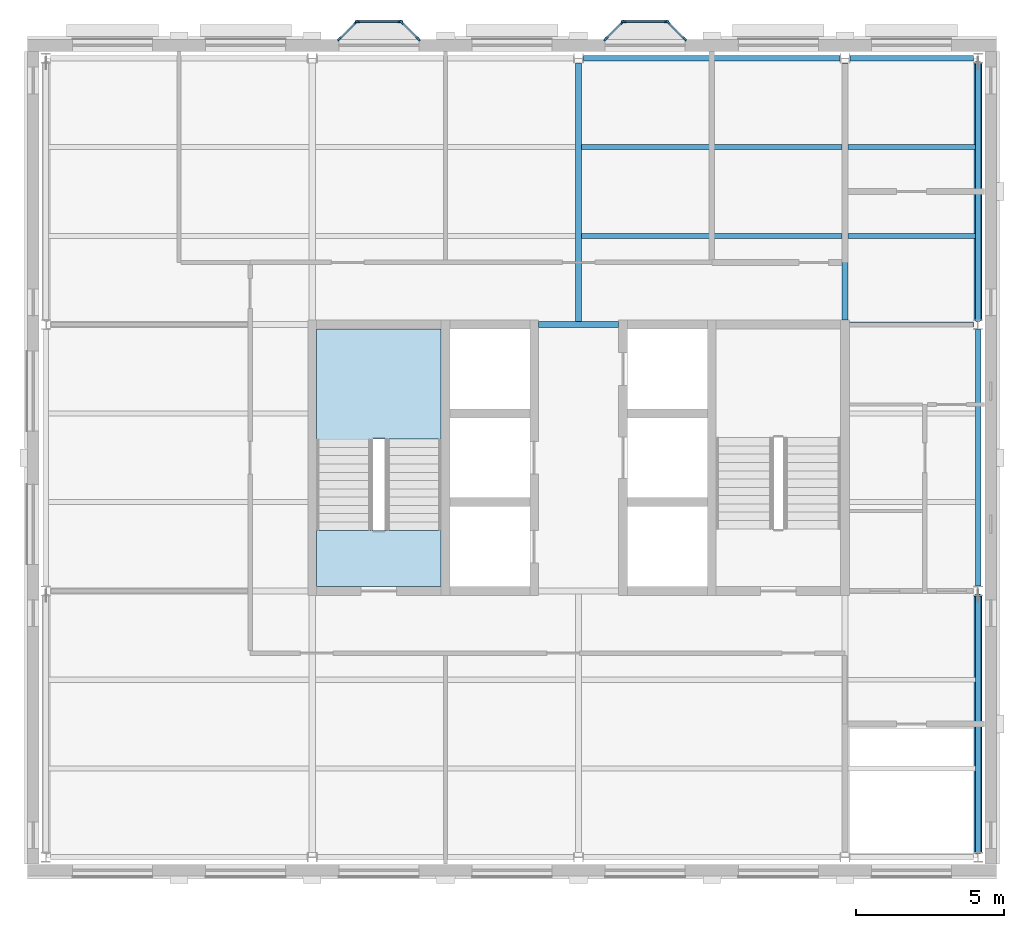
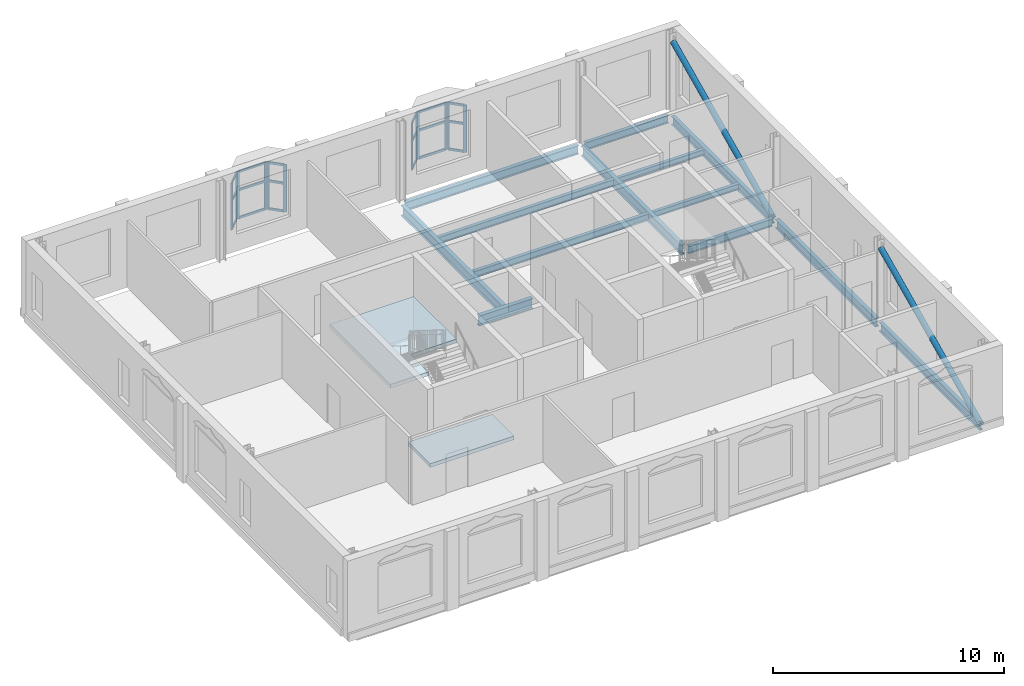
# One storey, part 2 of 9: 32 members, 13 beams, 2 slabs, 7 elements without a shape of their own.
"""IFC4 building model written with IfcOpenShell, lengths in metres."""

from ifc_helpers import new_model, si_unit, direction, frame, origin, origin_2d, place, context, subcontext, project, spatial, polyline, rectangle, hollow_circle, i_section, outline, extrude, material, layer, layer_set, material_profile, profile_set, type_object, element, aggregate, save


model = new_model("IFC4")

# Units and contexts
model_context = context("Model", 3, precision=1e-05, world=origin(), true_north=direction((0.0, 1.0)))
body_context = subcontext(model_context, "Body", "Model", "MODEL_VIEW")
ifc_project = project(units=[si_unit("LENGTHUNIT", "METRE"), si_unit("AREAUNIT", "SQUARE_METRE"), si_unit("VOLUMEUNIT", "CUBIC_METRE"), si_unit("PLANEANGLEUNIT", "RADIAN"), si_unit("MASSUNIT", "GRAM", prefix="KILO")], contexts=[model_context])

# Site, building, storey
site_placement = place(None, origin())
site = spatial("IfcSite", under=ifc_project, at=site_placement, CompositionType="ELEMENT")
building_placement = place(site_placement, origin())
building = spatial("IfcBuilding", under=site, at=building_placement, Name="Hortulan Conservatory and Botanical Research Centre", CompositionType="ELEMENT")
storey_placement = place(building_placement, frame((0.0, 0.0, 31.800048828125)))
storey = spatial("IfcBuildingStorey", under=building, at=storey_placement, Name="L07", CompositionType="ELEMENT", Elevation=31.800048828125)

# Members
ifc_material_1 = material(Name="Steel Grade C350L0 (350 MPa, AS/NZS 1163)", Category="steel")
ifc_material_profile_1 = material_profile(ifc_material_1, hollow_circle(Radius=0.136474609375, WallThickness=0.00927734375, at=origin_2d()), Name="273.1x9.3CHS")
ifc_profile_set_1 = profile_set([ifc_material_profile_1], Name="Steel Grade C350L0 (350 MPa, AS/NZS 1163)")
member_type_1 = type_object("IfcMemberType", Name="Brace 273.1x9.3CHS", PredefinedType="BRACE", material=ifc_profile_set_1)
for number, where, z_axis, x_axis, name in (
    (1, (31.5, 0.16357421875, -0.28369140625), (0.0, 0.906181836611, 0.422888258286), (-1.0, 0.0, 0.0), "273.1x9.3CHS brace"),
    (2, (31.5, 18.16357421875, -0.28369140625), (0.0, 0.906181836611, 0.422888258286), (-1.0, 0.0, 0.0), "273.1x9.3CHS brace"),
):
    element("IfcMember", number, at=place(storey_placement, frame(where, z_axis=z_axis, x_axis=x_axis)), inside=storey, type_object=member_type_1, Name=name, PredefinedType="BRACE", context=body_context, shape_type="SweptSolid", body=[
        extrude(hollow_circle(Radius=0.136474609375, WallThickness=0.00927734375, at=origin_2d()), origin(), (0.0, 0.0, 1.0), 9.57080078125),
    ])

# Curtain wall, members
ifc_material_2 = material(Name="Bronze-finished aluminium", Category="aluminium")
ifc_layer_1 = layer(ifc_material_2, 0.10009765625)
ifc_layer_set_1 = layer_set([ifc_layer_1], Name="Oriel Curtain Wall 1350 module")
curtain_wall_type = type_object("IfcCurtainWallType", Name="Oriel Curtain Wall 1350 module", PredefinedType="NOTDEFINED", material=ifc_layer_set_1)
curtain_wall_1_placement = place(storey_placement, origin())
curtain_wall_1 = element("IfcCurtainWall", 3, at=curtain_wall_1_placement, inside=storey, type_object=curtain_wall_type, Name="Oriel glazing", PredefinedType="NOTDEFINED")
ifc_material_profile_2 = material_profile(ifc_material_2, rectangle(XDim=0.06005859375, YDim=0.159912109375, at=origin_2d()), Name="Bronze Mullion 60x160")
ifc_profile_set_2 = profile_set([ifc_material_profile_2], Name="Bronze-finished aluminium")
member_type_2 = type_object("IfcMemberType", Name="Bronze Mullion 60x160", PredefinedType="MULLION", material=ifc_profile_set_2)
member_1_placement = place(storey_placement, frame((9.921142578125, 27.6572265625, 0.89990234375), z_axis=(0.0, 0.0, 1.0), x_axis=(-0.707106781187, 0.707106781187, 0.0)))
member_1 = element("IfcMember", 4, at=member_1_placement, type_object=member_type_2, Name="CW2 mullion 1", PredefinedType="MULLION", context=body_context, shape_type="SweptSolid", body=[
    extrude(rectangle(XDim=0.06005859375, YDim=0.159912109375, at=origin_2d()), origin(), (0.0, 0.0, 1.0), 2.5),
])
member_2_placement = place(storey_placement, frame((10.478759765625, 28.21484375, 0.89990234375), z_axis=(0.0, 0.0, 1.0), x_axis=(-0.707106781187, 0.707106781187, 0.0)))
member_2 = element("IfcMember", 5, at=member_2_placement, type_object=member_type_2, Name="CW2 mullion 2", PredefinedType="MULLION", context=body_context, shape_type="SweptSolid", body=[
    extrude(rectangle(XDim=0.06005859375, YDim=0.159912109375, at=origin_2d()), origin(), (0.0, 0.0, 1.0), 2.5),
])

curtain_wall_2_placement = place(storey_placement, origin())
curtain_wall_2 = element("IfcCurtainWall", 6, at=curtain_wall_2_placement, inside=storey, type_object=curtain_wall_type, Name="Oriel glazing", PredefinedType="NOTDEFINED")
member_3_placement = place(storey_placement, frame((10.530029296875, 28.236083984375, 0.89990234375), z_axis=(0.0, 0.0, 1.0), x_axis=(0.0, 1.0, 0.0)))
member_3 = element("IfcMember", 7, at=member_3_placement, type_object=member_type_2, Name="CW2 mullion 1", PredefinedType="MULLION", context=body_context, shape_type="SweptSolid", body=[
    extrude(rectangle(XDim=0.06005859375, YDim=0.159912109375, at=origin_2d()), origin(), (0.0, 0.0, 1.0), 2.5),
])
member_4_placement = place(storey_placement, frame((11.969970703125, 28.236083984375, 0.89990234375), z_axis=(0.0, 0.0, 1.0), x_axis=(0.0, 1.0, 0.0)))
member_4 = element("IfcMember", 8, at=member_4_placement, type_object=member_type_2, Name="CW2 mullion 2", PredefinedType="MULLION", context=body_context, shape_type="SweptSolid", body=[
    extrude(rectangle(XDim=0.06005859375, YDim=0.159912109375, at=origin_2d()), origin(), (0.0, 0.0, 1.0), 2.5),
])

curtain_wall_3_placement = place(storey_placement, origin())
curtain_wall_3 = element("IfcCurtainWall", 9, at=curtain_wall_3_placement, inside=storey, type_object=curtain_wall_type, Name="Oriel glazing", PredefinedType="NOTDEFINED")
member_5_placement = place(storey_placement, frame((12.021240234375, 28.21484375, 0.89990234375), z_axis=(0.0, 0.0, 1.0), x_axis=(0.707106781187, 0.707106781187, 0.0)))
member_5 = element("IfcMember", 10, at=member_5_placement, type_object=member_type_2, Name="CW2 mullion 1", PredefinedType="MULLION", context=body_context, shape_type="SweptSolid", body=[
    extrude(rectangle(XDim=0.06005859375, YDim=0.159912109375, at=origin_2d()), origin(), (0.0, 0.0, 1.0), 2.5),
])
member_6_placement = place(storey_placement, frame((12.578857421875, 27.6572265625, 0.89990234375), z_axis=(0.0, 0.0, 1.0), x_axis=(0.707106781187, 0.707106781187, 0.0)))
member_6 = element("IfcMember", 11, at=member_6_placement, type_object=member_type_2, Name="CW2 mullion 2", PredefinedType="MULLION", context=body_context, shape_type="SweptSolid", body=[
    extrude(rectangle(XDim=0.06005859375, YDim=0.159912109375, at=origin_2d()), origin(), (0.0, 0.0, 1.0), 2.5),
])

curtain_wall_4_placement = place(storey_placement, origin())
curtain_wall_4 = element("IfcCurtainWall", 12, at=curtain_wall_4_placement, inside=storey, type_object=curtain_wall_type, Name="Oriel glazing", PredefinedType="NOTDEFINED")
member_7_placement = place(storey_placement, frame((18.921142578125, 27.6572265625, 0.89990234375), z_axis=(0.0, 0.0, 1.0), x_axis=(-0.707106781187, 0.707106781187, 0.0)))
member_7 = element("IfcMember", 13, at=member_7_placement, type_object=member_type_2, Name="CW2 mullion 1", PredefinedType="MULLION", context=body_context, shape_type="SweptSolid", body=[
    extrude(rectangle(XDim=0.06005859375, YDim=0.159912109375, at=origin_2d()), origin(), (0.0, 0.0, 1.0), 2.5),
])
member_8_placement = place(storey_placement, frame((19.478759765625, 28.21484375, 0.89990234375), z_axis=(0.0, 0.0, 1.0), x_axis=(-0.707106781187, 0.707106781187, 0.0)))
member_8 = element("IfcMember", 14, at=member_8_placement, type_object=member_type_2, Name="CW2 mullion 2", PredefinedType="MULLION", context=body_context, shape_type="SweptSolid", body=[
    extrude(rectangle(XDim=0.06005859375, YDim=0.159912109375, at=origin_2d()), origin(), (0.0, 0.0, 1.0), 2.5),
])

curtain_wall_5_placement = place(storey_placement, origin())
curtain_wall_5 = element("IfcCurtainWall", 15, at=curtain_wall_5_placement, inside=storey, type_object=curtain_wall_type, Name="Oriel glazing", PredefinedType="NOTDEFINED")
member_9_placement = place(storey_placement, frame((19.530029296875, 28.236083984375, 0.89990234375), z_axis=(0.0, 0.0, 1.0), x_axis=(0.0, 1.0, 0.0)))
member_9 = element("IfcMember", 16, at=member_9_placement, type_object=member_type_2, Name="CW2 mullion 1", PredefinedType="MULLION", context=body_context, shape_type="SweptSolid", body=[
    extrude(rectangle(XDim=0.06005859375, YDim=0.159912109375, at=origin_2d()), origin(), (0.0, 0.0, 1.0), 2.5),
])
member_10_placement = place(storey_placement, frame((20.969970703125, 28.236083984375, 0.89990234375), z_axis=(0.0, 0.0, 1.0), x_axis=(0.0, 1.0, 0.0)))
member_10 = element("IfcMember", 17, at=member_10_placement, type_object=member_type_2, Name="CW2 mullion 2", PredefinedType="MULLION", context=body_context, shape_type="SweptSolid", body=[
    extrude(rectangle(XDim=0.06005859375, YDim=0.159912109375, at=origin_2d()), origin(), (0.0, 0.0, 1.0), 2.5),
])

curtain_wall_6_placement = place(storey_placement, origin())
curtain_wall_6 = element("IfcCurtainWall", 18, at=curtain_wall_6_placement, inside=storey, type_object=curtain_wall_type, Name="Oriel glazing", PredefinedType="NOTDEFINED")
member_11_placement = place(storey_placement, frame((21.021240234375, 28.21484375, 0.89990234375), z_axis=(0.0, 0.0, 1.0), x_axis=(0.707106781187, 0.707106781187, 0.0)))
member_11 = element("IfcMember", 19, at=member_11_placement, type_object=member_type_2, Name="CW2 mullion 1", PredefinedType="MULLION", context=body_context, shape_type="SweptSolid", body=[
    extrude(rectangle(XDim=0.06005859375, YDim=0.159912109375, at=origin_2d()), origin(), (0.0, 0.0, 1.0), 2.5),
])
member_12_placement = place(storey_placement, frame((21.578857421875, 27.6572265625, 0.89990234375), z_axis=(0.0, 0.0, 1.0), x_axis=(0.707106781187, 0.707106781187, 0.0)))
member_12 = element("IfcMember", 20, at=member_12_placement, type_object=member_type_2, Name="CW2 mullion 2", PredefinedType="MULLION", context=body_context, shape_type="SweptSolid", body=[
    extrude(rectangle(XDim=0.06005859375, YDim=0.159912109375, at=origin_2d()), origin(), (0.0, 0.0, 1.0), 2.5),
])

# Member
ifc_material_profile_3 = material_profile(ifc_material_2, rectangle(XDim=0.06005859375, YDim=0.1201171875, at=origin_2d()), Name="Bronze Transom 60x120")
ifc_profile_set_3 = profile_set([ifc_material_profile_3], Name="Bronze-finished aluminium")
member_type_3 = type_object("IfcMemberType", Name="Bronze Transom 60x120", PredefinedType="USERDEFINED", material=ifc_profile_set_3)
member_13_placement = place(storey_placement, frame((9.9423828125, 27.678466796875, 0.929931640625), z_axis=(0.707106781187, 0.707106781187, 0.0), x_axis=(-0.707106781187, 0.707106781187, 0.0)))
member_13 = element("IfcMember", 21, at=member_13_placement, type_object=member_type_3, Name="CW2 transom 1.1", ObjectType="TRANSOM", PredefinedType="USERDEFINED", context=body_context, shape_type="SweptSolid", body=[
    extrude(rectangle(XDim=0.06005859375, YDim=0.1201171875, at=origin_2d()), origin(), (0.0, 0.0, 1.0), 0.728515625),
])

member_14_placement = place(storey_placement, frame((9.9423828125, 27.678466796875, 2.39990234375), z_axis=(0.707106781187, 0.707106781187, 0.0), x_axis=(-0.707106781187, 0.707106781187, 0.0)))
member_14 = element("IfcMember", 22, at=member_14_placement, type_object=member_type_3, Name="CW2 transom 1.2", ObjectType="TRANSOM", PredefinedType="USERDEFINED", context=body_context, shape_type="SweptSolid", body=[
    extrude(rectangle(XDim=0.06005859375, YDim=0.1201171875, at=origin_2d()), origin(), (0.0, 0.0, 1.0), 0.728515625),
])

member_15_placement = place(storey_placement, frame((9.9423828125, 27.678466796875, 3.369873046875), z_axis=(0.707106781187, 0.707106781187, 0.0), x_axis=(-0.707106781187, 0.707106781187, 0.0)))
member_15 = element("IfcMember", 23, at=member_15_placement, type_object=member_type_3, Name="CW2 transom 1.3", ObjectType="TRANSOM", PredefinedType="USERDEFINED", context=body_context, shape_type="SweptSolid", body=[
    extrude(rectangle(XDim=0.06005859375, YDim=0.1201171875, at=origin_2d()), origin(), (0.0, 0.0, 1.0), 0.728515625),
])

aggregate(curtain_wall_1, [member_1, member_2, member_13, member_14, member_15])

member_16_placement = place(storey_placement, frame((10.56005859375, 28.236083984375, 0.929931640625), z_axis=(1.0, 0.0, 0.0), x_axis=(0.0, 1.0, 0.0)))
member_16 = element("IfcMember", 24, at=member_16_placement, type_object=member_type_3, Name="CW2 transom 1.1", ObjectType="TRANSOM", PredefinedType="USERDEFINED", context=body_context, shape_type="SweptSolid", body=[
    extrude(rectangle(XDim=0.06005859375, YDim=0.1201171875, at=origin_2d()), origin(), (0.0, 0.0, 1.0), 1.3798828125),
])

member_17_placement = place(storey_placement, frame((10.56005859375, 28.236083984375, 2.39990234375), z_axis=(1.0, 0.0, 0.0), x_axis=(0.0, 1.0, 0.0)))
member_17 = element("IfcMember", 25, at=member_17_placement, type_object=member_type_3, Name="CW2 transom 1.2", ObjectType="TRANSOM", PredefinedType="USERDEFINED", context=body_context, shape_type="SweptSolid", body=[
    extrude(rectangle(XDim=0.06005859375, YDim=0.1201171875, at=origin_2d()), origin(), (0.0, 0.0, 1.0), 1.3798828125),
])

member_18_placement = place(storey_placement, frame((10.56005859375, 28.236083984375, 3.369873046875), z_axis=(1.0, 0.0, 0.0), x_axis=(0.0, 1.0, 0.0)))
member_18 = element("IfcMember", 26, at=member_18_placement, type_object=member_type_3, Name="CW2 transom 1.3", ObjectType="TRANSOM", PredefinedType="USERDEFINED", context=body_context, shape_type="SweptSolid", body=[
    extrude(rectangle(XDim=0.06005859375, YDim=0.1201171875, at=origin_2d()), origin(), (0.0, 0.0, 1.0), 1.3798828125),
])

aggregate(curtain_wall_2, [member_3, member_4, member_16, member_17, member_18])

member_19_placement = place(storey_placement, frame((12.04248046875, 28.193603515625, 0.929931640625), z_axis=(0.707106781187, -0.707106781187, 0.0), x_axis=(0.707106781187, 0.707106781187, 0.0)))
member_19 = element("IfcMember", 27, at=member_19_placement, type_object=member_type_3, Name="CW2 transom 1.1", ObjectType="TRANSOM", PredefinedType="USERDEFINED", context=body_context, shape_type="SweptSolid", body=[
    extrude(rectangle(XDim=0.06005859375, YDim=0.1201171875, at=origin_2d()), origin(), (0.0, 0.0, 1.0), 0.728515625),
])

member_20_placement = place(storey_placement, frame((12.04248046875, 28.193603515625, 2.39990234375), z_axis=(0.707106781187, -0.707106781187, 0.0), x_axis=(0.707106781187, 0.707106781187, 0.0)))
member_20 = element("IfcMember", 28, at=member_20_placement, type_object=member_type_3, Name="CW2 transom 1.2", ObjectType="TRANSOM", PredefinedType="USERDEFINED", context=body_context, shape_type="SweptSolid", body=[
    extrude(rectangle(XDim=0.06005859375, YDim=0.1201171875, at=origin_2d()), origin(), (0.0, 0.0, 1.0), 0.728515625),
])

member_21_placement = place(storey_placement, frame((12.04248046875, 28.193603515625, 3.369873046875), z_axis=(0.707106781187, -0.707106781187, 0.0), x_axis=(0.707106781187, 0.707106781187, 0.0)))
member_21 = element("IfcMember", 29, at=member_21_placement, type_object=member_type_3, Name="CW2 transom 1.3", ObjectType="TRANSOM", PredefinedType="USERDEFINED", context=body_context, shape_type="SweptSolid", body=[
    extrude(rectangle(XDim=0.06005859375, YDim=0.1201171875, at=origin_2d()), origin(), (0.0, 0.0, 1.0), 0.728515625),
])

aggregate(curtain_wall_3, [member_5, member_6, member_19, member_20, member_21])

member_22_placement = place(storey_placement, frame((18.9423828125, 27.678466796875, 0.929931640625), z_axis=(0.707106781187, 0.707106781187, 0.0), x_axis=(-0.707106781187, 0.707106781187, 0.0)))
member_22 = element("IfcMember", 30, at=member_22_placement, type_object=member_type_3, Name="CW2 transom 1.1", ObjectType="TRANSOM", PredefinedType="USERDEFINED", context=body_context, shape_type="SweptSolid", body=[
    extrude(rectangle(XDim=0.06005859375, YDim=0.1201171875, at=origin_2d()), origin(), (0.0, 0.0, 1.0), 0.728515625),
])

member_23_placement = place(storey_placement, frame((18.9423828125, 27.678466796875, 2.39990234375), z_axis=(0.707106781187, 0.707106781187, 0.0), x_axis=(-0.707106781187, 0.707106781187, 0.0)))
member_23 = element("IfcMember", 31, at=member_23_placement, type_object=member_type_3, Name="CW2 transom 1.2", ObjectType="TRANSOM", PredefinedType="USERDEFINED", context=body_context, shape_type="SweptSolid", body=[
    extrude(rectangle(XDim=0.06005859375, YDim=0.1201171875, at=origin_2d()), origin(), (0.0, 0.0, 1.0), 0.728515625),
])

member_24_placement = place(storey_placement, frame((18.9423828125, 27.678466796875, 3.369873046875), z_axis=(0.707106781187, 0.707106781187, 0.0), x_axis=(-0.707106781187, 0.707106781187, 0.0)))
member_24 = element("IfcMember", 32, at=member_24_placement, type_object=member_type_3, Name="CW2 transom 1.3", ObjectType="TRANSOM", PredefinedType="USERDEFINED", context=body_context, shape_type="SweptSolid", body=[
    extrude(rectangle(XDim=0.06005859375, YDim=0.1201171875, at=origin_2d()), origin(), (0.0, 0.0, 1.0), 0.728515625),
])

aggregate(curtain_wall_4, [member_7, member_8, member_22, member_23, member_24])

member_25_placement = place(storey_placement, frame((19.56005859375, 28.236083984375, 0.929931640625), z_axis=(1.0, 0.0, 0.0), x_axis=(0.0, 1.0, 0.0)))
member_25 = element("IfcMember", 33, at=member_25_placement, type_object=member_type_3, Name="CW2 transom 1.1", ObjectType="TRANSOM", PredefinedType="USERDEFINED", context=body_context, shape_type="SweptSolid", body=[
    extrude(rectangle(XDim=0.06005859375, YDim=0.1201171875, at=origin_2d()), origin(), (0.0, 0.0, 1.0), 1.3798828125),
])

member_26_placement = place(storey_placement, frame((19.56005859375, 28.236083984375, 2.39990234375), z_axis=(1.0, 0.0, 0.0), x_axis=(0.0, 1.0, 0.0)))
member_26 = element("IfcMember", 34, at=member_26_placement, type_object=member_type_3, Name="CW2 transom 1.2", ObjectType="TRANSOM", PredefinedType="USERDEFINED", context=body_context, shape_type="SweptSolid", body=[
    extrude(rectangle(XDim=0.06005859375, YDim=0.1201171875, at=origin_2d()), origin(), (0.0, 0.0, 1.0), 1.3798828125),
])

member_27_placement = place(storey_placement, frame((19.56005859375, 28.236083984375, 3.369873046875), z_axis=(1.0, 0.0, 0.0), x_axis=(0.0, 1.0, 0.0)))
member_27 = element("IfcMember", 35, at=member_27_placement, type_object=member_type_3, Name="CW2 transom 1.3", ObjectType="TRANSOM", PredefinedType="USERDEFINED", context=body_context, shape_type="SweptSolid", body=[
    extrude(rectangle(XDim=0.06005859375, YDim=0.1201171875, at=origin_2d()), origin(), (0.0, 0.0, 1.0), 1.3798828125),
])

aggregate(curtain_wall_5, [member_9, member_10, member_25, member_26, member_27])

member_28_placement = place(storey_placement, frame((21.04248046875, 28.193603515625, 0.929931640625), z_axis=(0.707106781187, -0.707106781187, 0.0), x_axis=(0.707106781187, 0.707106781187, 0.0)))
member_28 = element("IfcMember", 36, at=member_28_placement, type_object=member_type_3, Name="CW2 transom 1.1", ObjectType="TRANSOM", PredefinedType="USERDEFINED", context=body_context, shape_type="SweptSolid", body=[
    extrude(rectangle(XDim=0.06005859375, YDim=0.1201171875, at=origin_2d()), origin(), (0.0, 0.0, 1.0), 0.728515625),
])

member_29_placement = place(storey_placement, frame((21.04248046875, 28.193603515625, 2.39990234375), z_axis=(0.707106781187, -0.707106781187, 0.0), x_axis=(0.707106781187, 0.707106781187, 0.0)))
member_29 = element("IfcMember", 37, at=member_29_placement, type_object=member_type_3, Name="CW2 transom 1.2", ObjectType="TRANSOM", PredefinedType="USERDEFINED", context=body_context, shape_type="SweptSolid", body=[
    extrude(rectangle(XDim=0.06005859375, YDim=0.1201171875, at=origin_2d()), origin(), (0.0, 0.0, 1.0), 0.728515625),
])

member_30_placement = place(storey_placement, frame((21.04248046875, 28.193603515625, 3.369873046875), z_axis=(0.707106781187, -0.707106781187, 0.0), x_axis=(0.707106781187, 0.707106781187, 0.0)))
member_30 = element("IfcMember", 38, at=member_30_placement, type_object=member_type_3, Name="CW2 transom 1.3", ObjectType="TRANSOM", PredefinedType="USERDEFINED", context=body_context, shape_type="SweptSolid", body=[
    extrude(rectangle(XDim=0.06005859375, YDim=0.1201171875, at=origin_2d()), origin(), (0.0, 0.0, 1.0), 0.728515625),
])

aggregate(curtain_wall_6, [member_11, member_12, member_28, member_29, member_30])

# Beams
ifc_material_3 = material(Name="Steel Grade 300PLUS (AS/NZS 3679.1, 280 MPa minimum yield)", Category="steel")
ifc_material_profile_4 = material_profile(ifc_material_3, i_section(OverallWidth=0.177978515625, OverallDepth=0.403076171875, WebThickness=0.007568359375, FlangeThickness=0.010986328125, FilletRadius=0.011474609375, at=origin_2d()), Name="410UB53.7")
ifc_profile_set_4 = profile_set([ifc_material_profile_4], Name="Steel Grade 300PLUS (AS/NZS 3679.1, 280 MPa minimum yield)")
beam_type_1 = type_object("IfcBeamType", Name="Primary Beam 410UB53.7", PredefinedType="BEAM", material=ifc_profile_set_4)
beam_1_placement = place(storey_placement, frame((27.16357421875, 27.0, -0.33154296875), z_axis=(1.0, 0.0, 0.0), x_axis=(0.0, 1.0, 0.0)))
element("IfcBeam", 39, at=beam_1_placement, inside=storey, type_object=beam_type_1, Name="410UB53.7 girder", PredefinedType="BEAM", context=body_context, shape_type="SweptSolid", body=[
    extrude(i_section(OverallWidth=0.177978515625, OverallDepth=0.403076171875, WebThickness=0.007568359375, FlangeThickness=0.010986328125, FilletRadius=0.011474609375, at=origin_2d()), origin(), (0.0, 0.0, 1.0), 4.180908203125),
])
beam_2_placement = place(storey_placement, frame((27.14990234375, 18.0, -0.33154296875), z_axis=(1.0, 0.0, 0.0), x_axis=(0.0, 1.0, 0.0)))
element("IfcBeam", 40, at=beam_2_placement, inside=storey, type_object=beam_type_1, Name="410UB53.7 girder", PredefinedType="BEAM", context=body_context, shape_type="SweptSolid", body=[
    extrude(i_section(OverallWidth=0.177978515625, OverallDepth=0.403076171875, WebThickness=0.007568359375, FlangeThickness=0.010986328125, FilletRadius=0.011474609375, at=origin_2d()), origin(), (0.0, 0.0, 1.0), 4.194580078125),
])
ifc_material_profile_5 = material_profile(ifc_material_3, i_section(OverallWidth=0.19091796875, OverallDepth=0.4599609375, WebThickness=0.010009765625, FlangeThickness=0.01611328125, FilletRadius=0.011474609375, at=origin_2d()), Name="460UB82.1")
ifc_profile_set_5 = profile_set([ifc_material_profile_5], Name="Steel Grade 300PLUS (AS/NZS 3679.1, 280 MPa minimum yield)")
beam_type_2 = type_object("IfcBeamType", Name="Primary Beam 460UB82.1", PredefinedType="BEAM", material=ifc_profile_set_5)
for number, where, z_axis, x_axis, name in (
    (41, (18.16357421875, 27.0, -0.360107421875), (1.0, 0.0, 0.0), (0.0, 1.0, 0.0), "460UB82.1 girder"),
    (42, (31.5, 0.16357421875, -0.360107421875), (0.0, 1.0, 0.0), (-1.0, 0.0, 0.0), "460UB82.1 girder"),
    (43, (31.5, 9.16357421875, -0.360107421875), (0.0, 1.0, 0.0), (-1.0, 0.0, 0.0), "460UB82.1 girder"),
    (44, (31.5, 18.16357421875, -0.360107421875), (0.0, 1.0, 0.0), (-1.0, 0.0, 0.0), "460UB82.1 girder"),
):
    element("IfcBeam", number, at=place(storey_placement, frame(where, z_axis=z_axis, x_axis=x_axis)), inside=storey, type_object=beam_type_2, Name=name, PredefinedType="BEAM", context=body_context, shape_type="SweptSolid", body=[
        extrude(i_section(OverallWidth=0.19091796875, OverallDepth=0.4599609375, WebThickness=0.010009765625, FlangeThickness=0.01611328125, FilletRadius=0.011474609375, at=origin_2d()), origin(), (0.0, 0.0, 1.0), 8.6728515625),
    ])
ifc_material_profile_6 = material_profile(ifc_material_3, i_section(OverallWidth=0.208984375, OverallDepth=0.532958984375, WebThickness=0.01025390625, FlangeThickness=0.015625, FilletRadius=0.013916015625, at=origin_2d()), Name="530UB92.4")
ifc_profile_set_6 = profile_set([ifc_material_profile_6], Name="Steel Grade 300PLUS (AS/NZS 3679.1, 280 MPa minimum yield)")
beam_type_3 = type_object("IfcBeamType", Name="Primary Beam 530UB92.4", PredefinedType="BEAM", material=ifc_profile_set_6)
beam_3_placement = place(storey_placement, frame((16.64990234375, 18.0, -0.396484375), z_axis=(1.0, 0.0, 0.0), x_axis=(0.0, 1.0, 0.0)))
element("IfcBeam", 45, at=beam_3_placement, inside=storey, type_object=beam_type_3, Name="530UB92.4 girder", PredefinedType="BEAM", context=body_context, shape_type="SweptSolid", body=[
    extrude(i_section(OverallWidth=0.208984375, OverallDepth=0.532958984375, WebThickness=0.01025390625, FlangeThickness=0.015625, FilletRadius=0.013916015625, at=origin_2d()), origin(), (0.0, 0.0, 1.0), 2.7001953125),
])
beam_4_placement = place(storey_placement, frame((18.0, 18.0, -0.396484375), z_axis=(0.0, 1.0, 0.0), x_axis=(-1.0, 0.0, 0.0)))
element("IfcBeam", 46, at=beam_4_placement, inside=storey, type_object=beam_type_3, Name="530UB92.4 girder", PredefinedType="BEAM", context=body_context, shape_type="SweptSolid", body=[
    extrude(i_section(OverallWidth=0.208984375, OverallDepth=0.532958984375, WebThickness=0.01025390625, FlangeThickness=0.015625, FilletRadius=0.013916015625, at=origin_2d()), origin(), (0.0, 0.0, 1.0), 8.844482421875),
])
beam_5_placement = place(storey_placement, frame((27.0, 18.14990234375, -0.396484375), z_axis=(0.0, 1.0, 0.0), x_axis=(-1.0, 0.0, 0.0)))
element("IfcBeam", 47, at=beam_5_placement, inside=storey, type_object=beam_type_3, Name="530UB92.4 girder", PredefinedType="BEAM", context=body_context, shape_type="SweptSolid", body=[
    extrude(i_section(OverallWidth=0.208984375, OverallDepth=0.532958984375, WebThickness=0.01025390625, FlangeThickness=0.015625, FilletRadius=0.013916015625, at=origin_2d()), origin(), (0.0, 0.0, 1.0), 8.694580078125),
])
ifc_material_profile_7 = material_profile(ifc_material_3, i_section(OverallWidth=0.1650390625, OverallDepth=0.303955078125, WebThickness=0.006103515625, FlangeThickness=0.01025390625, FilletRadius=0.011474609375, at=origin_2d()), Name="310UB40.4")
ifc_profile_set_7 = profile_set([ifc_material_profile_7], Name="Steel Grade 300PLUS (AS/NZS 3679.1, 280 MPa minimum yield)")
beam_type_4 = type_object("IfcBeamType", Name="Secondary Beam 310UB40.4", PredefinedType="JOIST", material=ifc_profile_set_7)
for number, where, z_axis, x_axis, name in (
    (48, (27.1044921875, 21.0, -0.281982421875), (1.0, 0.0, 0.0), (0.0, 1.0, 0.0), "310UB40.4 secondary beam"),
    (49, (27.1044921875, 24.0, -0.281982421875), (1.0, 0.0, 0.0), (0.0, 1.0, 0.0), "310UB40.4 secondary beam"),
):
    element("IfcBeam", number, at=place(storey_placement, frame(where, z_axis=z_axis, x_axis=x_axis)), inside=storey, type_object=beam_type_4, Name=name, PredefinedType="JOIST", context=body_context, shape_type="SweptSolid", body=[
        extrude(i_section(OverallWidth=0.1650390625, OverallDepth=0.303955078125, WebThickness=0.006103515625, FlangeThickness=0.01025390625, FilletRadius=0.011474609375, at=origin_2d()), origin(), (0.0, 0.0, 1.0), 4.300048828125),
    ])
ifc_material_profile_8 = material_profile(ifc_material_3, i_section(OverallWidth=0.172119140625, OverallDepth=0.35888671875, WebThickness=0.008056640625, FlangeThickness=0.012939453125, FilletRadius=0.011474609375, at=origin_2d()), Name="360UB56.7")
ifc_profile_set_8 = profile_set([ifc_material_profile_8], Name="Steel Grade 300PLUS (AS/NZS 3679.1, 280 MPa minimum yield)")
beam_type_5 = type_object("IfcBeamType", Name="Secondary Beam 360UB56.7", PredefinedType="JOIST", material=ifc_profile_set_8)
for number, where, z_axis, x_axis, name in (
    (50, (18.1044921875, 21.0, -0.3095703125), (1.0, 0.0, 0.0), (0.0, 1.0, 0.0), "360UB56.7 secondary beam"),
    (51, (18.1044921875, 24.0, -0.3095703125), (1.0, 0.0, 0.0), (0.0, 1.0, 0.0), "360UB56.7 secondary beam"),
):
    element("IfcBeam", number, at=place(storey_placement, frame(where, z_axis=z_axis, x_axis=x_axis)), inside=storey, type_object=beam_type_5, Name=name, PredefinedType="JOIST", context=body_context, shape_type="SweptSolid", body=[
        extrude(i_section(OverallWidth=0.172119140625, OverallDepth=0.35888671875, WebThickness=0.008056640625, FlangeThickness=0.012939453125, FilletRadius=0.011474609375, at=origin_2d()), origin(), (0.0, 0.0, 1.0), 8.791015625),
    ])

# Stair, slab
ifc_material_4 = material(Name="Concrete N40 (40 MPa, AS 3600)", Category="concrete")
stair_type = type_object("IfcStairType", Name="Concrete Escape Stair 1900", PredefinedType="HALF_TURN_STAIR", material=ifc_material_4)
stair_placement = place(storey_placement, origin())
stair = element("IfcStair", 52, at=stair_placement, inside=storey, type_object=stair_type, Name="Stair T1 L07", PredefinedType="HALF_TURN_STAIR")
ifc_layer_2 = layer(ifc_material_4, 0.199951171875)
ifc_layer_set_2 = layer_set([ifc_layer_2], Name="Stair Landing 200")
slab_type = type_object("IfcSlabType", Name="Stair Landing 200", PredefinedType="LANDING", material=ifc_layer_set_2)
slab_1_placement = place(storey_placement, frame((0.0, 0.0, 1.89990234375)))
slab_1 = element("IfcSlab", 53, at=slab_1_placement, type_object=slab_type, Name="Stair T1 L07 half landing 1", PredefinedType="LANDING", context=body_context, shape_type="SweptSolid", body=[
    extrude(outline(polyline([(13.35009765625, 14.12939453125), (11.050048828125, 14.12939453125), (11.050048828125, 12.590087890625), (9.14990234375, 12.590087890625), (9.14990234375, 14.12939453125), (9.14990234375, 14.1298828125), (9.14990234375, 14.139892578125), (9.14990234375, 17.85009765625), (13.35009765625, 17.85009765625), (13.35009765625, 14.139892578125), (13.35009765625, 14.1298828125), (13.35009765625, 14.12939453125)])), origin(), (0.0, 0.0, 1.0), 0.199951171875),
])
aggregate(stair, [slab_1])

# Slab
slab_2_placement = place(storey_placement, frame((0.0, 0.0, -0.199951171875)))
element("IfcSlab", 54, at=slab_2_placement, inside=storey, type_object=slab_type, Name="Stair T1 floor landing L07", PredefinedType="LANDING", context=body_context, shape_type="SweptSolid", body=[
    extrude(outline(polyline([(13.35009765625, 9.14990234375), (9.14990234375, 9.14990234375), (9.14990234375, 11.050048828125), (13.35009765625, 11.050048828125), (13.35009765625, 9.14990234375)])), origin(), (0.0, 0.0, 1.0), 0.199951171875),
])

save(model, "model.ifc")
